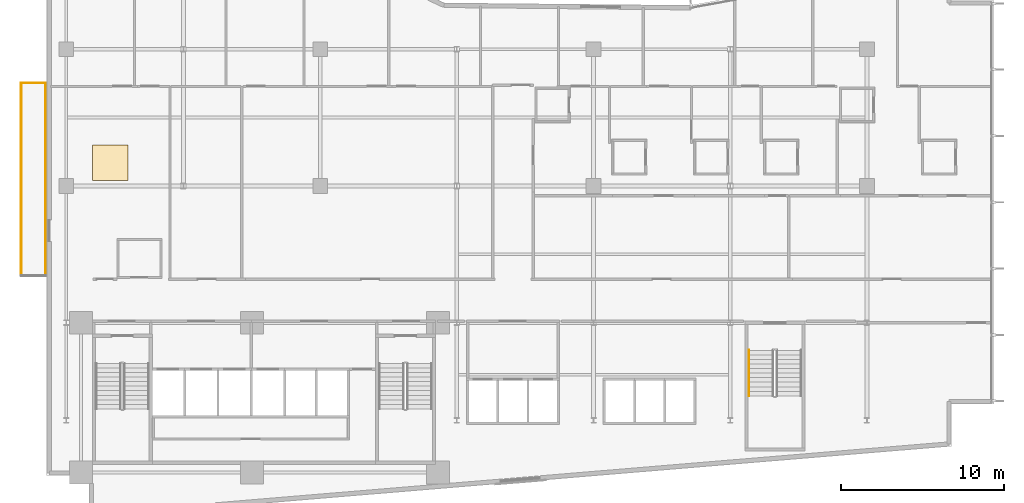
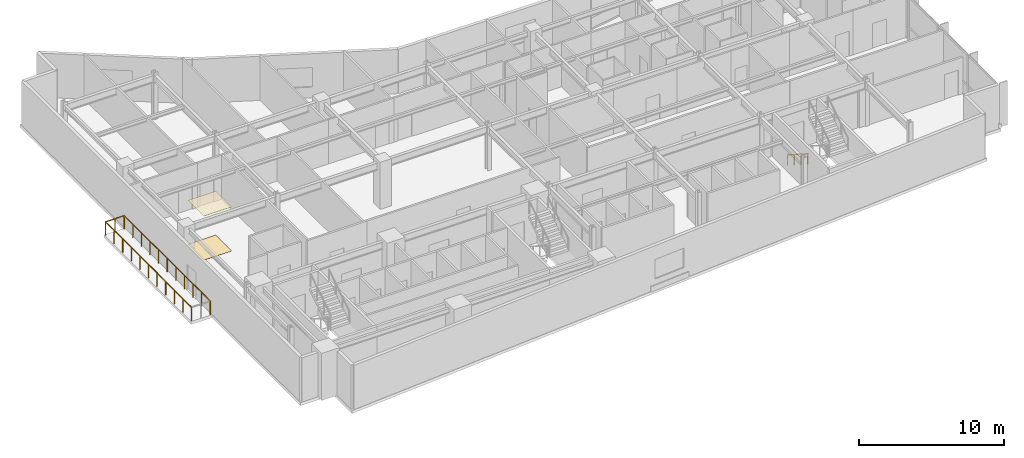
# One storey, part 19 of 22: 4 railings, 2 coverings.
"""IFC4 building model written with IfcOpenShell, lengths in metres."""

from ifc_helpers import new_model, si_unit, direction, frame, origin, origin_2d, place, context, subcontext, project, spatial, rectangle, circle, extrude, material, layer, layer_set, type_object, element, save


model = new_model("IFC4")

# Units and contexts
model_context = context("Model", 3, precision=1e-05, world=origin(), true_north=direction((0.0, 1.0)))
body_context = subcontext(model_context, "Body", "Model", "MODEL_VIEW")
ifc_project = project(units=[si_unit("LENGTHUNIT", "METRE"), si_unit("AREAUNIT", "SQUARE_METRE"), si_unit("VOLUMEUNIT", "CUBIC_METRE"), si_unit("PLANEANGLEUNIT", "RADIAN"), si_unit("MASSUNIT", "GRAM", prefix="KILO")], contexts=[model_context])

# Site, building, storey
site_placement = place(None, origin())
site = spatial("IfcSite", under=ifc_project, at=site_placement, CompositionType="ELEMENT")
building_placement = place(site_placement, origin())
building = spatial("IfcBuilding", under=site, at=building_placement, Name="Varnakote Quay Hospital", CompositionType="ELEMENT")
storey_placement = place(building_placement, frame((0.0, 0.0, 65.949951171875)))
storey = spatial("IfcBuildingStorey", under=building, at=storey_placement, Name="L16", CompositionType="ELEMENT", Elevation=65.949951171875)

# Coverings
ifc_material_1 = material(Name="Antimicrobial acoustic mineral ceiling tile", Category="gypsum")
ifc_layer_1 = layer(ifc_material_1, 0.02490234375)
ifc_layer_set_1 = layer_set([ifc_layer_1], Name="Antimicrobial acoustic mineral ceiling tile")
covering_type_1 = type_object("IfcCoveringType", Name="COV-CLIN-CEIL-25", PredefinedType="CEILING", material=ifc_layer_set_1)
covering_1_placement = place(storey_placement, frame((3.909912109375, 21.830078125, 3.68505859375), z_axis=(0.0, 0.0, 1.0), x_axis=(1.0, 0.0, 0.0)))
element("IfcCovering", 1, at=covering_1_placement, inside=storey, type_object=covering_type_1, Name="L16 Antimicrobial Acoustic Ceiling Tile", PredefinedType="CEILING", context=body_context, shape_type="SweptSolid", body=[
    extrude(rectangle(XDim=2.199951171875, YDim=2.199951171875, at=origin_2d()), origin(), (0.0, 0.0, 1.0), 0.02490234375),
])
ifc_material_2 = material(Name="Seamless clinical sheet vinyl flooring")
ifc_layer_2 = layer(ifc_material_2, 0.011962890625)
ifc_layer_set_2 = layer_set([ifc_layer_2], Name="Seamless clinical sheet vinyl flooring")
covering_type_2 = type_object("IfcCoveringType", Name="COV-CLIN-VINYL-12", PredefinedType="FLOORING", material=ifc_layer_set_2)
covering_2_placement = place(storey_placement, frame((3.909912109375, 21.830078125, 0.0), z_axis=(0.0, 0.0, 1.0), x_axis=(1.0, 0.0, 0.0)))
element("IfcCovering", 2, at=covering_2_placement, inside=storey, type_object=covering_type_2, Name="L16 Seamless Clinical Vinyl Flooring", PredefinedType="FLOORING", context=body_context, shape_type="SweptSolid", body=[
    extrude(rectangle(XDim=2.199951171875, YDim=2.199951171875, at=origin_2d()), origin(), (0.0, 0.0, 1.0), 0.011962890625),
])

# Railings
ifc_material_3 = material(Name="Anodised aluminium 6063-T6 Bronze", Category="aluminium")
railing_type_1 = type_object("IfcRailingType", Name="RLG-EXT-GUARD-1150", PredefinedType="GUARDRAIL", material=ifc_material_3)
railing_1_placement = place(storey_placement, frame((-1.56005859375, 14.8798828125, 0.0)))
element("IfcRailing", 3, at=railing_1_placement, inside=storey, type_object=railing_type_1, Name="L16 Zigzag Prow Healing Terrace Safety Guard", PredefinedType="GUARDRAIL", context=body_context, shape_type="SweptSolid", body=[
    extrude(circle(Radius=0.02392578125, at=origin_2d()), frame((0.0, 0.0, 1.1259765625), z_axis=(0.0, 1.0, 0.0), x_axis=(-1.0, 0.0, 0.0)), (0.0, 0.0, 1.0), 11.840087890625),
    extrude(circle(Radius=0.02099609375, at=origin_2d()), origin(), (0.0, 0.0, 1.0), 1.101806640625),
    extrude(circle(Radius=0.02099609375, at=origin_2d()), frame((0.0, 1.18408203125, 0.0)), (0.0, 0.0, 1.0), 1.101806640625),
    extrude(circle(Radius=0.02099609375, at=origin_2d()), frame((0.0, 2.367919921875, 0.0)), (0.0, 0.0, 1.0), 1.101806640625),
    extrude(circle(Radius=0.02099609375, at=origin_2d()), frame((0.0, 3.552001953125, 0.0)), (0.0, 0.0, 1.0), 1.101806640625),
    extrude(circle(Radius=0.02099609375, at=origin_2d()), frame((0.0, 4.736083984375, 0.0)), (0.0, 0.0, 1.0), 1.101806640625),
    extrude(circle(Radius=0.02099609375, at=origin_2d()), frame((0.0, 5.919921875, 0.0)), (0.0, 0.0, 1.0), 1.101806640625),
    extrude(circle(Radius=0.02099609375, at=origin_2d()), frame((0.0, 7.10400390625, 0.0)), (0.0, 0.0, 1.0), 1.101806640625),
    extrude(circle(Radius=0.02099609375, at=origin_2d()), frame((0.0, 8.2880859375, 0.0)), (0.0, 0.0, 1.0), 1.101806640625),
    extrude(circle(Radius=0.02099609375, at=origin_2d()), frame((0.0, 9.47216796875, 0.0)), (0.0, 0.0, 1.0), 1.101806640625),
    extrude(circle(Radius=0.02099609375, at=origin_2d()), frame((0.0, 10.656005859375, 0.0)), (0.0, 0.0, 1.0), 1.101806640625),
    extrude(circle(Radius=0.02099609375, at=origin_2d()), frame((0.0, 11.840087890625, 0.0)), (0.0, 0.0, 1.0), 1.101806640625),
])
railing_2_placement = place(storey_placement, frame((-1.56005859375, 26.719970703125, 0.0)))
element("IfcRailing", 4, at=railing_2_placement, inside=storey, type_object=railing_type_1, Name="L16 Zigzag Prow Healing Terrace Safety Guard", PredefinedType="GUARDRAIL", context=body_context, shape_type="SweptSolid", body=[
    extrude(circle(Radius=0.02392578125, at=origin_2d()), frame((0.0, 0.0, 1.1259765625), z_axis=(1.0, 0.0, 0.0), x_axis=(0.0, 1.0, 0.0)), (0.0, 0.0, 1.0), 1.484130859375),
    extrude(circle(Radius=0.02099609375, at=origin_2d()), origin(), (0.0, 0.0, 1.0), 1.101806640625),
    extrude(circle(Radius=0.02099609375, at=origin_2d()), frame((0.7421875, 0.0, 0.0)), (0.0, 0.0, 1.0), 1.101806640625),
    extrude(circle(Radius=0.02099609375, at=origin_2d()), frame((1.484130859375, 0.0, 0.0)), (0.0, 0.0, 1.0), 1.101806640625),
])
railing_3_placement = place(storey_placement, frame((-0.075927734375, 26.719970703125, 0.0)))
element("IfcRailing", 5, at=railing_3_placement, inside=storey, type_object=railing_type_1, Name="L16 Zigzag Prow Healing Terrace Safety Guard", PredefinedType="GUARDRAIL", context=body_context, shape_type="SweptSolid", body=[
    extrude(circle(Radius=0.02392578125, at=origin_2d()), frame((0.0, 0.0, 1.1259765625), z_axis=(0.0, -1.0, 0.0), x_axis=(1.0, 0.0, 0.0)), (0.0, 0.0, 1.0), 11.840087890625),
    extrude(circle(Radius=0.02099609375, at=origin_2d()), origin(), (0.0, 0.0, 1.0), 1.101806640625),
    extrude(circle(Radius=0.02099609375, at=origin_2d()), frame((0.0, -1.18408203125, 0.0)), (0.0, 0.0, 1.0), 1.101806640625),
    extrude(circle(Radius=0.02099609375, at=origin_2d()), frame((0.0, -2.367919921875, 0.0)), (0.0, 0.0, 1.0), 1.101806640625),
    extrude(circle(Radius=0.02099609375, at=origin_2d()), frame((0.0, -3.552001953125, 0.0)), (0.0, 0.0, 1.0), 1.101806640625),
    extrude(circle(Radius=0.02099609375, at=origin_2d()), frame((0.0, -4.736083984375, 0.0)), (0.0, 0.0, 1.0), 1.101806640625),
    extrude(circle(Radius=0.02099609375, at=origin_2d()), frame((0.0, -5.919921875, 0.0)), (0.0, 0.0, 1.0), 1.101806640625),
    extrude(circle(Radius=0.02099609375, at=origin_2d()), frame((0.0, -7.10400390625, 0.0)), (0.0, 0.0, 1.0), 1.101806640625),
    extrude(circle(Radius=0.02099609375, at=origin_2d()), frame((0.0, -8.2880859375, 0.0)), (0.0, 0.0, 1.0), 1.101806640625),
    extrude(circle(Radius=0.02099609375, at=origin_2d()), frame((0.0, -9.47216796875, 0.0)), (0.0, 0.0, 1.0), 1.101806640625),
    extrude(circle(Radius=0.02099609375, at=origin_2d()), frame((0.0, -10.656005859375, 0.0)), (0.0, 0.0, 1.0), 1.101806640625),
    extrude(circle(Radius=0.02099609375, at=origin_2d()), frame((0.0, -11.840087890625, 0.0)), (0.0, 0.0, 1.0), 1.101806640625),
])
ifc_material_4 = material(Name="Brushed stainless steel handrail", Category="steel")
railing_type_2 = type_object("IfcRailingType", Name="RLG-STAIR-HND-920", PredefinedType="HANDRAIL", material=ifc_material_4)
railing_4_placement = place(storey_placement, frame((43.14990234375, 10.300048828125, 0.1796875)))
element("IfcRailing", 6, at=railing_4_placement, inside=storey, type_object=railing_type_2, Name="L16 ST-03 stair handrail 1", PredefinedType="HANDRAIL", context=body_context, shape_type="SweptSolid", body=[
    extrude(circle(Radius=0.02392578125, at=origin_2d()), frame((0.0, 0.0, 0.8759765625), z_axis=(0.0, -0.841809871826, 0.539774156196), x_axis=(1.0, 0.0, 0.0)), (0.0, 0.0, 1.0), 3.326171875),
    extrude(circle(Radius=0.02099609375, at=origin_2d()), origin(), (0.0, 0.0, 1.0), 0.851806640625),
    extrude(circle(Radius=0.02099609375, at=origin_2d()), frame((0.0, -0.933349609375, 0.598388671875)), (0.0, 0.0, 1.0), 0.851806640625),
    extrude(circle(Radius=0.02099609375, at=origin_2d()), frame((0.0, -1.86669921875, 1.197021484375)), (0.0, 0.0, 1.0), 0.851806640625),
    extrude(circle(Radius=0.02099609375, at=origin_2d()), frame((0.0, -2.800048828125, 1.79541015625)), (0.0, 0.0, 1.0), 0.851806640625),
])

save(model, "model.ifc")
